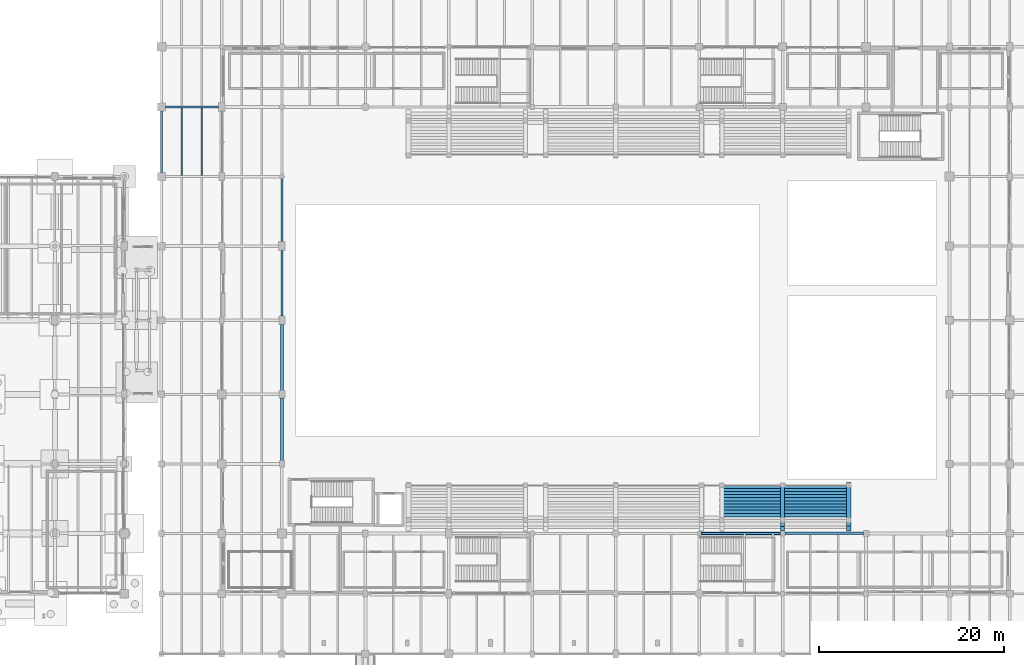
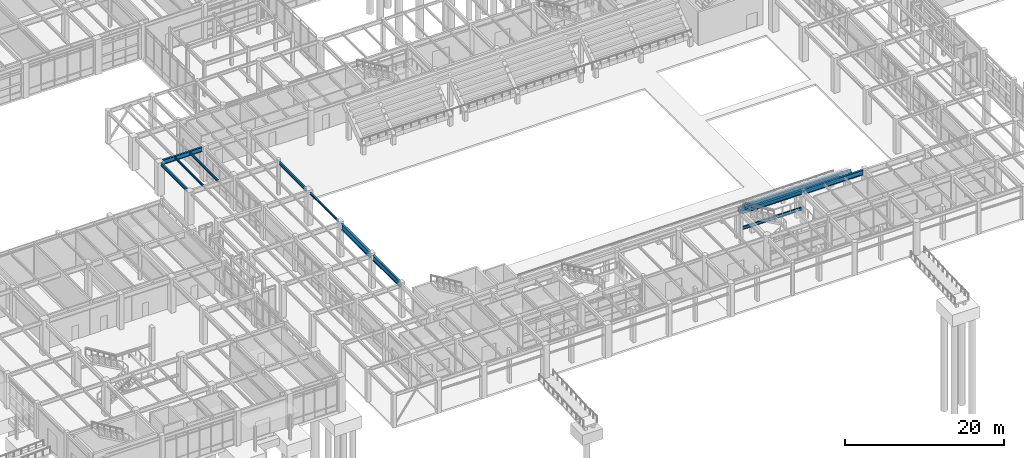
# One storey, part 57 of 203: 23 beams.
"""IFC4 building model written with IfcOpenShell, lengths in metres."""

from ifc_helpers import new_model, si_unit, direction, frame, origin, origin_2d, place, context, subcontext, project, spatial, rectangle, i_section, extrude, material, material_profile, profile_set, type_object, element, save


model = new_model("IFC4")

# Units and contexts
model_context = context("Model", 3, precision=1e-05, world=origin(), true_north=direction((0.0, 1.0)))
body_context = subcontext(model_context, "Body", "Model", "MODEL_VIEW")
ifc_project = project(units=[si_unit("LENGTHUNIT", "METRE"), si_unit("AREAUNIT", "SQUARE_METRE"), si_unit("VOLUMEUNIT", "CUBIC_METRE"), si_unit("PLANEANGLEUNIT", "RADIAN"), si_unit("MASSUNIT", "GRAM", prefix="KILO"), si_unit("THERMODYNAMICTEMPERATUREUNIT", "KELVIN"), si_unit("POWERUNIT", "WATT")], contexts=[model_context])

# Site, building, storey
site_placement = place(None, origin())
site = spatial("IfcSite", under=ifc_project, at=site_placement, CompositionType="ELEMENT")
building_placement = place(site_placement, origin())
building = spatial("IfcBuilding", under=site, at=building_placement, Name="Tepalcoro Natatorium and Aquatics Centre", CompositionType="ELEMENT")
storey_placement = place(building_placement, origin())
storey = spatial("IfcBuildingStorey", under=building, at=storey_placement, Name="L00", CompositionType="ELEMENT", Elevation=0.0)

# Beams
ifc_material_1 = material(Name="Concrete C40/50 (fc 40 MPa)", Category="concrete")
ifc_material_profile_1 = material_profile(ifc_material_1, rectangle(XDim=0.39990234375, YDim=0.64990234375, at=origin_2d()), Name="RCB400x650")
ifc_profile_set_1 = profile_set([ifc_material_profile_1], Name="Concrete C40/50 (fc 40 MPa)")
beam_type_1 = type_object("IfcBeamType", Name="BM_RC_400x650", PredefinedType="BEAM", material=ifc_profile_set_1)
for number, where, z_axis, x_axis, name in (
    (1, (100.449951171875, 17.65576171875, 1.300048828125), (1.0, 0.0, 0.0), (0.0, 1.0, 0.0), "Spectator Tier Stringer Beam S-1E-F"),
    (2, (100.449951171875, 18.0, 1.300048828125), (1.0, 0.0, 0.0), (0.0, 1.0, 0.0), "Spectator Tier Stringer Beam S-1E-B"),
    (3, (100.449951171875, 16.991455078125, 1.89990234375), (1.0, 0.0, 0.0), (0.0, 1.0, 0.0), "Spectator Tier Stringer Beam S-2E-F"),
    (4, (100.449951171875, 17.335693359375, 1.89990234375), (1.0, 0.0, 0.0), (0.0, 1.0, 0.0), "Spectator Tier Stringer Beam S-2E-B"),
    (5, (100.449951171875, 16.3271484375, 2.5), (1.0, 0.0, 0.0), (0.0, 1.0, 0.0), "Spectator Tier Stringer Beam S-3E-F"),
    (6, (100.449951171875, 16.67138671875, 2.5), (1.0, 0.0, 0.0), (0.0, 1.0, 0.0), "Spectator Tier Stringer Beam S-3E-B"),
    (7, (100.449951171875, 15.662841796875, 3.10009765625), (1.0, 0.0, 0.0), (0.0, 1.0, 0.0), "Spectator Tier Stringer Beam S-4E-F"),
    (8, (100.449951171875, 16.007080078125, 3.10009765625), (1.0, 0.0, 0.0), (0.0, 1.0, 0.0), "Spectator Tier Stringer Beam S-4E-B"),
    (9, (100.449951171875, 14.99853515625, 3.699951171875), (1.0, 0.0, 0.0), (0.0, 1.0, 0.0), "Spectator Tier Stringer Beam S-5E-F"),
    (10, (100.449951171875, 15.3427734375, 3.699951171875), (1.0, 0.0, 0.0), (0.0, 1.0, 0.0), "Spectator Tier Stringer Beam S-5E-B"),
):
    element("IfcBeam", number, at=place(storey_placement, frame(where, z_axis=z_axis, x_axis=x_axis)), inside=storey, type_object=beam_type_1, Name=name, PredefinedType="BEAM", context=body_context, shape_type="SweptSolid", body=[
        extrude(rectangle(XDim=0.39990234375, YDim=0.64990234375, at=origin_2d()), origin(), (0.0, 0.0, 1.0), 13.699951171875),
    ])
ifc_material_2 = material(Name="Steel ASTM A992 Grade 50 (Fy 345 MPa)", Category="steel")
ifc_material_profile_2 = material_profile(ifc_material_2, i_section(OverallWidth=0.202880859375, OverallDepth=0.304931640625, WebThickness=0.007080078125, FlangeThickness=0.012939453125, FilletRadius=0.013916015625, at=origin_2d()), Name="W12X40")
ifc_profile_set_2 = profile_set([ifc_material_profile_2], Name="Steel ASTM A992 Grade 50 (Fy 345 MPa)")
beam_type_2 = type_object("IfcBeamType", Name="BM_W12x40", PredefinedType="BEAM", material=ifc_profile_set_2)
beam_1_placement = place(storey_placement, frame((53.0, 36.43505859375, 4.972412109375), z_axis=(0.0, 1.0, 0.0), x_axis=(-1.0, 0.0, 0.0)))
element("IfcBeam", 11, at=beam_1_placement, inside=storey, type_object=beam_type_2, Name="V1 L00 Grid Girder Y", PredefinedType="BEAM", context=body_context, shape_type="SweptSolid", body=[
    extrude(i_section(OverallWidth=0.202880859375, OverallDepth=0.304931640625, WebThickness=0.007080078125, FlangeThickness=0.012939453125, FilletRadius=0.013916015625, at=origin_2d()), origin(), (0.0, 0.0, 1.0), 7.10498046875),
])
ifc_material_profile_3 = material_profile(ifc_material_2, i_section(OverallWidth=0.19091796875, OverallDepth=0.45703125, WebThickness=0.009033203125, FlangeThickness=0.013916015625, FilletRadius=0.013916015625, at=origin_2d()), Name="W18X50")
ifc_profile_set_3 = profile_set([ifc_material_profile_3], Name="Steel ASTM A992 Grade 50 (Fy 345 MPa)")
beam_type_3 = type_object("IfcBeamType", Name="BM_W18x50", PredefinedType="BEAM", material=ifc_profile_set_3)
beam_2_placement = place(storey_placement, frame((53.0, 44.4599609375, 4.896484375), z_axis=(0.0, 1.0, 0.0), x_axis=(-1.0, 0.0, 0.0)))
element("IfcBeam", 12, at=beam_2_placement, inside=storey, type_object=beam_type_3, Name="V1 L00 Grid Girder Y", PredefinedType="BEAM", context=body_context, shape_type="SweptSolid", body=[
    extrude(i_section(OverallWidth=0.19091796875, OverallDepth=0.45703125, WebThickness=0.009033203125, FlangeThickness=0.013916015625, FilletRadius=0.013916015625, at=origin_2d()), origin(), (0.0, 0.0, 1.0), 6.804931640625),
])
beam_3_placement = place(storey_placement, frame((98.18505859375, 13.0, 2.271484375), z_axis=(1.0, 0.0, 0.0), x_axis=(0.0, 1.0, 0.0)))
element("IfcBeam", 13, at=beam_3_placement, inside=storey, type_object=beam_type_3, Name="Vomitory Stair Mid-Height Grid Header SE-N", PredefinedType="BEAM", context=body_context, shape_type="SweptSolid", body=[
    extrude(i_section(OverallWidth=0.19091796875, OverallDepth=0.45703125, WebThickness=0.009033203125, FlangeThickness=0.013916015625, FilletRadius=0.013916015625, at=origin_2d()), origin(), (0.0, 0.0, 1.0), 8.579833984375),
])
ifc_material_profile_4 = material_profile(ifc_material_2, i_section(OverallWidth=0.324951171875, OverallDepth=0.616943359375, WebThickness=0.013916015625, FlangeThickness=0.02197265625, FilletRadius=0.013916015625, at=origin_2d()), Name="W24X117")
ifc_profile_set_4 = profile_set([ifc_material_profile_4], Name="Steel ASTM A992 Grade 50 (Fy 345 MPa)")
beam_type_4 = type_object("IfcBeamType", Name="BM_W24x117", PredefinedType="BEAM", material=ifc_profile_set_4)
beam_4_placement = place(storey_placement, frame((98.18505859375, 13.0, 4.81640625), z_axis=(1.0, 0.0, 0.0), x_axis=(0.0, 1.0, 0.0)))
element("IfcBeam", 14, at=beam_4_placement, inside=storey, type_object=beam_type_4, Name="V1 L00 Grid Girder X", PredefinedType="BEAM", context=body_context, shape_type="SweptSolid", body=[
    extrude(i_section(OverallWidth=0.324951171875, OverallDepth=0.616943359375, WebThickness=0.013916015625, FlangeThickness=0.02197265625, FilletRadius=0.013916015625, at=origin_2d()), origin(), (0.0, 0.0, 1.0), 8.579833984375),
])
ifc_material_profile_5 = material_profile(ifc_material_2, i_section(OverallWidth=0.25390625, OverallDepth=0.700927734375, WebThickness=0.014892578125, FlangeThickness=0.028076171875, FilletRadius=0.013916015625, at=origin_2d()), Name="W27X129")
ifc_profile_set_5 = profile_set([ifc_material_profile_5], Name="Steel ASTM A992 Grade 50 (Fy 345 MPa)")
beam_type_5 = type_object("IfcBeamType", Name="BM_W27x129", PredefinedType="BEAM", material=ifc_profile_set_5)
beam_5_placement = place(storey_placement, frame((40.43505859375, 59.0, 4.734619140625), z_axis=(1.0, 0.0, 0.0), x_axis=(0.0, 1.0, 0.0)))
element("IfcBeam", 15, at=beam_5_placement, inside=storey, type_object=beam_type_5, Name="V1 L00 Grid Girder X", PredefinedType="BEAM", context=body_context, shape_type="SweptSolid", body=[
    extrude(i_section(OverallWidth=0.25390625, OverallDepth=0.700927734375, WebThickness=0.014892578125, FlangeThickness=0.028076171875, FilletRadius=0.013916015625, at=origin_2d()), origin(), (0.0, 0.0, 1.0), 5.72998046875),
])
ifc_material_profile_6 = material_profile(ifc_material_2, i_section(OverallWidth=0.26708984375, OverallDepth=0.761962890625, WebThickness=0.013916015625, FlangeThickness=0.02197265625, FilletRadius=0.013916015625, at=origin_2d()), Name="W30X116")
ifc_profile_set_6 = profile_set([ifc_material_profile_6], Name="Steel ASTM A992 Grade 50 (Fy 345 MPa)")
beam_type_6 = type_object("IfcBeamType", Name="BM_W30x116", PredefinedType="BEAM", material=ifc_profile_set_6)
beam_6_placement = place(storey_placement, frame((107.235107421875, 13.0, 4.743896484375), z_axis=(1.0, 0.0, 0.0), x_axis=(0.0, 1.0, 0.0)))
element("IfcBeam", 16, at=beam_6_placement, inside=storey, type_object=beam_type_6, Name="V1 L00 Grid Girder X", PredefinedType="BEAM", context=body_context, shape_type="SweptSolid", body=[
    extrude(i_section(OverallWidth=0.26708984375, OverallDepth=0.761962890625, WebThickness=0.013916015625, FlangeThickness=0.02197265625, FilletRadius=0.013916015625, at=origin_2d()), origin(), (0.0, 0.0, 1.0), 8.47998046875),
])
ifc_material_profile_7 = material_profile(ifc_material_2, i_section(OverallWidth=0.2919921875, OverallDepth=0.845947265625, WebThickness=0.014892578125, FlangeThickness=0.02392578125, FilletRadius=0.013916015625, at=origin_2d()), Name="W33X141")
ifc_profile_set_7 = profile_set([ifc_material_profile_7], Name="Steel ASTM A992 Grade 50 (Fy 345 MPa)")
beam_type_7 = type_object("IfcBeamType", Name="BM_W33x141", PredefinedType="BEAM", material=ifc_profile_set_7)
beam_7_placement = place(storey_placement, frame((53.0, 20.8349609375, 4.701904296875), z_axis=(0.0, 1.0, 0.0), x_axis=(-1.0, 0.0, 0.0)))
element("IfcBeam", 17, at=beam_7_placement, inside=storey, type_object=beam_type_7, Name="V1 L00 Grid Girder Y", PredefinedType="BEAM", context=body_context, shape_type="SweptSolid", body=[
    extrude(i_section(OverallWidth=0.2919921875, OverallDepth=0.845947265625, WebThickness=0.014892578125, FlangeThickness=0.02392578125, FilletRadius=0.013916015625, at=origin_2d()), origin(), (0.0, 0.0, 1.0), 6.780029296875),
])
ifc_material_profile_8 = material_profile(ifc_material_2, i_section(OverallWidth=0.304931640625, OverallDepth=0.9189453125, WebThickness=0.01708984375, FlangeThickness=0.028076171875, FilletRadius=0.013916015625, at=origin_2d()), Name="W36X170")
ifc_profile_set_8 = profile_set([ifc_material_profile_8], Name="Steel ASTM A992 Grade 50 (Fy 345 MPa)")
beam_type_8 = type_object("IfcBeamType", Name="BM_W36x170", PredefinedType="BEAM", material=ifc_profile_set_8)
beam_8_placement = place(storey_placement, frame((53.0, 28.385009765625, 4.66552734375), z_axis=(0.0, 1.0, 0.0), x_axis=(-1.0, 0.0, 0.0)))
element("IfcBeam", 18, at=beam_8_placement, inside=storey, type_object=beam_type_8, Name="V1 L00 Grid Girder Y", PredefinedType="BEAM", context=body_context, shape_type="SweptSolid", body=[
    extrude(i_section(OverallWidth=0.304931640625, OverallDepth=0.9189453125, WebThickness=0.01708984375, FlangeThickness=0.028076171875, FilletRadius=0.013916015625, at=origin_2d()), origin(), (0.0, 0.0, 1.0), 7.179931640625),
])
ifc_material_profile_9 = material_profile(ifc_material_2, i_section(OverallWidth=0.1669921875, OverallDepth=0.318115234375, WebThickness=0.008056640625, FlangeThickness=0.012939453125, FilletRadius=0.013916015625, at=origin_2d()), Name="W12X35")
ifc_profile_set_9 = profile_set([ifc_material_profile_9], Name="Steel ASTM A992 Grade 50 (Fy 345 MPa)")
beam_type_9 = type_object("IfcBeamType", Name="JS_W12x35", PredefinedType="JOIST", material=ifc_profile_set_9)
beam_9_placement = place(storey_placement, frame((42.166748046875, 51.626953125, 4.926025390625), z_axis=(0.0, 1.0, 0.0), x_axis=(-1.0, 0.0, 0.0)))
element("IfcBeam", 19, at=beam_9_placement, inside=storey, type_object=beam_type_9, Name="V1 L00 Floor Joist", PredefinedType="JOIST", context=body_context, shape_type="SweptSolid", body=[
    extrude(i_section(OverallWidth=0.1669921875, OverallDepth=0.318115234375, WebThickness=0.008056640625, FlangeThickness=0.012939453125, FilletRadius=0.013916015625, at=origin_2d()), origin(), (0.0, 0.0, 1.0), 7.24609375),
])
ifc_material_profile_10 = material_profile(ifc_material_2, i_section(OverallWidth=0.1708984375, OverallDepth=0.35107421875, WebThickness=0.007080078125, FlangeThickness=0.010009765625, FilletRadius=0.013916015625, at=origin_2d()), Name="W14X30")
ifc_profile_set_10 = profile_set([ifc_material_profile_10], Name="Steel ASTM A992 Grade 50 (Fy 345 MPa)")
beam_type_10 = type_object("IfcBeamType", Name="JS_W14x30", PredefinedType="JOIST", material=ifc_profile_set_10)
beam_10_placement = place(storey_placement, frame((44.333251953125, 51.626953125, 4.909423828125), z_axis=(0.0, 1.0, 0.0), x_axis=(-1.0, 0.0, 0.0)))
element("IfcBeam", 20, at=beam_10_placement, inside=storey, type_object=beam_type_10, Name="V1 L00 Floor Joist", PredefinedType="JOIST", context=body_context, shape_type="SweptSolid", body=[
    extrude(i_section(OverallWidth=0.1708984375, OverallDepth=0.35107421875, WebThickness=0.007080078125, FlangeThickness=0.010009765625, FilletRadius=0.013916015625, at=origin_2d()), origin(), (0.0, 0.0, 1.0), 7.24609375),
])
ifc_material_profile_11 = material_profile(ifc_material_1, rectangle(XDim=0.449951171875, YDim=0.800048828125, at=origin_2d()), Name="RKR450x800")
ifc_profile_set_11 = profile_set([ifc_material_profile_11], Name="Concrete C40/50 (fc 40 MPa)")
beam_type_11 = type_object("IfcBeamType", Name="RK_RC_450x800", PredefinedType="USERDEFINED", material=ifc_profile_set_11)
beam_11_placement = place(storey_placement, frame((107.0, 18.199951171875, 1.25), z_axis=(0.0, -0.793431117483, 0.608660054389), x_axis=(1.0, 0.0, 0.0)))
element("IfcBeam", 21, at=beam_11_placement, inside=storey, type_object=beam_type_11, Name="Spectator Bowl Raker Beam S-8", ObjectType="RAKER", PredefinedType="USERDEFINED", context=body_context, shape_type="SweptSolid", body=[
    extrude(rectangle(XDim=0.449951171875, YDim=0.800048828125, at=origin_2d()), origin(), (0.0, 0.0, 1.0), 5.8984375),
])
ifc_material_profile_12 = material_profile(ifc_material_1, rectangle(XDim=0.5, YDim=0.89990234375, at=origin_2d()), Name="RKR500x900")
ifc_profile_set_12 = profile_set([ifc_material_profile_12], Name="Concrete C40/50 (fc 40 MPa)")
beam_type_12 = type_object("IfcBeamType", Name="RK_RC_500x900", PredefinedType="USERDEFINED", material=ifc_profile_set_12)
beam_12_placement = place(storey_placement, frame((114.14990234375, 18.199951171875, 1.25), z_axis=(0.0, -0.793431117483, 0.608660054389), x_axis=(1.0, 0.0, 0.0)))
element("IfcBeam", 22, at=beam_12_placement, inside=storey, type_object=beam_type_12, Name="Spectator Bowl Raker Beam S-9", ObjectType="RAKER", PredefinedType="USERDEFINED", context=body_context, shape_type="SweptSolid", body=[
    extrude(rectangle(XDim=0.5, YDim=0.89990234375, at=origin_2d()), origin(), (0.0, 0.0, 1.0), 5.8984375),
])
ifc_material_profile_13 = material_profile(ifc_material_2, i_section(OverallWidth=0.19091796875, OverallDepth=0.4599609375, WebThickness=0.010009765625, FlangeThickness=0.01611328125, FilletRadius=0.013916015625, at=origin_2d()), Name="W18X55")
ifc_profile_set_13 = profile_set([ifc_material_profile_13], Name="Steel ASTM A992 Grade 50 (Fy 345 MPa)")
beam_type_13 = type_object("IfcBeamType", Name="SP_W18x55", PredefinedType="SPANDREL", material=ifc_profile_set_13)
beam_13_placement = place(storey_placement, frame((40.0, 51.909912109375, 4.85498046875), z_axis=(0.0, 1.0, 0.0), x_axis=(-1.0, 0.0, 0.0)))
element("IfcBeam", 23, at=beam_13_placement, inside=storey, type_object=beam_type_13, Name="V1 L00 Grid Girder Y", PredefinedType="SPANDREL", context=body_context, shape_type="SweptSolid", body=[
    extrude(i_section(OverallWidth=0.19091796875, OverallDepth=0.4599609375, WebThickness=0.010009765625, FlangeThickness=0.01611328125, FilletRadius=0.013916015625, at=origin_2d()), origin(), (0.0, 0.0, 1.0), 6.655029296875),
])

save(model, "model.ifc")
